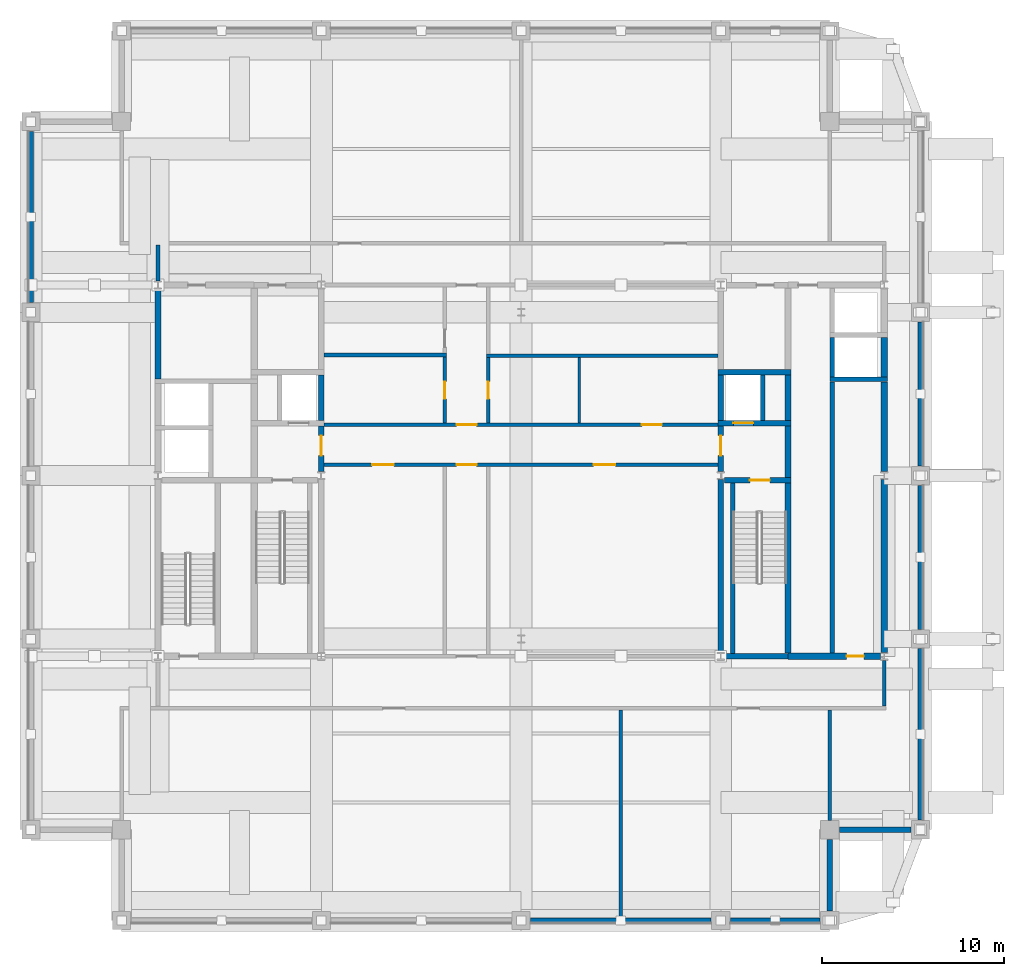
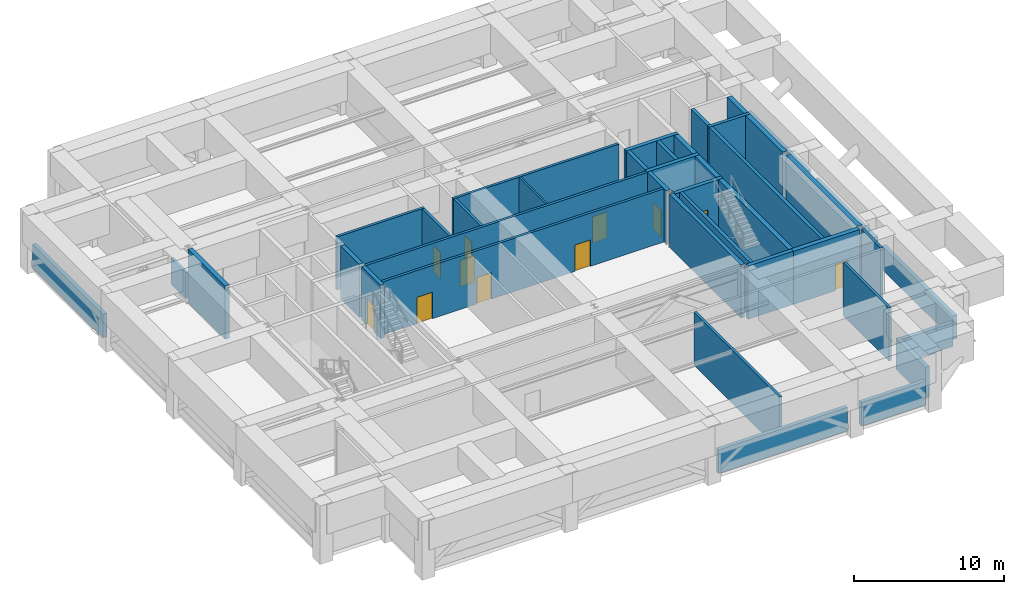
# One storey, part 4 of 9: 41 walls, 12 doors, 12 openings.
"""IFC4 building model written with IfcOpenShell, lengths in metres."""

from ifc_helpers import new_model, si_unit, direction, frame, frame_2d, origin, place, context, subcontext, project, spatial, rectangle, extrude, material, layer, layer_set, type_object, element, fill, save


model = new_model("IFC4")

# Units and contexts
model_context = context("Model", 3, precision=1e-05, world=origin(), true_north=direction((0.0, 1.0)))
body_context = subcontext(model_context, "Body", "Model", "MODEL_VIEW")
ifc_project = project(units=[si_unit("LENGTHUNIT", "METRE"), si_unit("AREAUNIT", "SQUARE_METRE"), si_unit("VOLUMEUNIT", "CUBIC_METRE"), si_unit("PLANEANGLEUNIT", "RADIAN"), si_unit("MASSUNIT", "GRAM", prefix="KILO")], contexts=[model_context])

# Site, building, storey
site_placement = place(None, origin())
site = spatial("IfcSite", under=ifc_project, at=site_placement, CompositionType="ELEMENT")
building_placement = place(site_placement, origin())
building = spatial("IfcBuilding", under=site, at=building_placement, Name="Zulmaris Gate Convention Tower", CompositionType="ELEMENT")
storey_placement = place(building_placement, frame((0.0, 0.0, 222.06005859375)))
storey = spatial("IfcBuildingStorey", under=building, at=storey_placement, Name="L58", CompositionType="ELEMENT", Elevation=222.06005859375)

# Walls
ifc_material_1 = material(Name="Concrete C50/60", Category="concrete")
ifc_layer_1 = layer(ifc_material_1, 0.25, Name="Concrete C50/60")
ifc_layer_set_1 = layer_set([ifc_layer_1], Name="Concrete C50/60")
wall_type_1 = type_object("IfcWallType", Name="CORE-250", PredefinedType="SOLIDWALL", material=ifc_layer_set_1)
wall_1_placement = place(storey_placement, frame((17.02490234375, 5.300048828125, 0.0), z_axis=(0.0, 0.0, 1.0), x_axis=(1.0, 0.0, 0.0)))
element("IfcWall", 1, at=wall_1_placement, inside=storey, type_object=wall_type_1, Name="WL-L58-011", PredefinedType="SOLIDWALL", context=body_context, shape_type="SweptSolid", body=[
    extrude(rectangle(XDim=3.150146484375, YDim=0.25, at=frame_2d((1.5751953125, 0.0))), origin(), (0.0, 0.0, 1.0), 4.3349609375),
])
wall_2_placement = place(storey_placement, frame((11.64990234375, -9.798095703125, 0.0), z_axis=(0.0, 0.0, 1.0), x_axis=(0.0, 1.0, 0.0)))
element("IfcWall", 2, at=wall_2_placement, inside=storey, type_object=wall_type_1, Name="WL-L58-049", PredefinedType="SOLIDWALL", context=body_context, shape_type="SweptSolid", body=[
    extrude(rectangle(XDim=9.39599609375, YDim=0.25, at=frame_2d((4.697998046875, 0.0))), origin(), (0.0, 0.0, 1.0), 4.3349609375),
])
wall_3_placement = place(storey_placement, frame((13.300048828125, 3.052001953125, 0.0), z_axis=(0.0, 0.0, 1.0), x_axis=(0.0, 1.0, 0.0)))
element("IfcWall", 3, at=wall_3_placement, inside=storey, type_object=wall_type_1, Name="WL-L58-050", PredefinedType="SOLIDWALL", context=body_context, shape_type="SweptSolid", body=[
    extrude(rectangle(XDim=2.49609375, YDim=0.25, at=frame_2d((1.248046875, 0.0))), origin(), (0.0, 0.0, 1.0), 4.3349609375),
])
wall_4_placement = place(storey_placement, frame((17.14990234375, -9.77294921875, 0.0), z_axis=(0.0, 0.0, 1.0), x_axis=(0.0, 1.0, 0.0)))
element("IfcWall", 4, at=wall_4_placement, inside=storey, type_object=wall_type_1, Name="WL-L58-055", PredefinedType="SOLIDWALL", context=body_context, shape_type="SweptSolid", body=[
    extrude(rectangle(XDim=14.946044921875, YDim=0.25, at=frame_2d((7.47314453125, 0.0))), origin(), (0.0, 0.0, 1.0), 4.3349609375),
])
wall_5_placement = place(storey_placement, frame((17.14990234375, 5.427001953125, 0.0), z_axis=(0.0, 0.0, 1.0), x_axis=(0.0, 1.0, 0.0)))
element("IfcWall", 5, at=wall_5_placement, inside=storey, type_object=wall_type_1, Name="WL-L58-056", PredefinedType="SOLIDWALL", context=body_context, shape_type="SweptSolid", body=[
    extrude(rectangle(XDim=2.196044921875, YDim=0.25, at=frame_2d((1.09814453125, 0.0))), origin(), (0.0, 0.0, 1.0), 4.3349609375),
])
ifc_layer_2 = layer(ifc_material_1, 0.300048828125, Name="Concrete C50/60")
ifc_layer_set_2 = layer_set([ifc_layer_2], Name="Concrete C50/60")
wall_type_2 = type_object("IfcWallType", Name="CORE-300", PredefinedType="SHEAR", material=ifc_layer_set_2)
wall_6_placement = place(storey_placement, frame((11.2099609375, -9.949951171875, 0.0), z_axis=(0.0, 0.0, 1.0), x_axis=(1.0, 0.0, 0.0)))
element("IfcWall", 6, at=wall_6_placement, inside=storey, type_object=wall_type_2, Name="WL-L58-003", PredefinedType="SHEAR", context=body_context, shape_type="SweptSolid", body=[
    extrude(rectangle(XDim=3.489990234375, YDim=0.300048828125, at=frame_2d((1.7451171875, 0.0))), origin(), (0.0, 0.0, 1.0), 4.3349609375),
])

# Wall, opening, door
wall_7_placement = place(storey_placement, frame((11.2099609375, -0.25, 0.0), z_axis=(0.0, 0.0, 1.0), x_axis=(1.0, 0.0, 0.0)))
wall_7 = element("IfcWall", 7, at=wall_7_placement, inside=storey, type_object=wall_type_2, Name="WL-L58-006", PredefinedType="SHEAR", context=body_context, shape_type="SweptSolid", body=[
    extrude(rectangle(XDim=3.6650390625, YDim=0.300048828125, at=frame_2d((1.83251953125, 0.0))), origin(), (0.0, 0.0, 1.0), 4.3349609375),
])
opening_1_placement = place(wall_7_placement, frame((1.389892578125, 0.0, 0.0)))
opening_1 = element("IfcOpeningElement", 8, at=opening_1_placement, cuts=wall_7, Name="Opening D-08", PredefinedType="OPENING", context=body_context, shape_type="SweptSolid", body=[
    extrude(rectangle(XDim=1.10009765625, YDim=2.14990234375, at=frame_2d((0.550048828125, 1.074951171875))), frame((0.0, 0.16015625, 0.0), z_axis=(0.0, -1.0, 0.0), x_axis=(1.0, 0.0, 0.0)), (0.0, 0.0, 1.0), 0.320068359375),
])
ifc_material_2 = material(Name="Fire-Rated Steel", Category="steel")
door_type_1 = type_object("IfcDoorType", Name="DR-1100-FD", OperationType="NOTDEFINED", PredefinedType="DOOR", material=ifc_material_2)
door_1_placement = place(opening_1_placement, origin())
door_1 = element("IfcDoor", 9, at=door_1_placement, inside=storey, type_object=door_type_1, Name="L58 Exit Stair ST-2 Door 04", OperationType="SINGLE_SWING_LEFT", OverallHeight=2.14990234375, OverallWidth=1.10009765625, PredefinedType="DOOR", context=body_context, shape_type="SweptSolid", body=[
    extrude(rectangle(XDim=1.10009765625, YDim=2.14990234375, at=frame_2d((0.550048828125, 1.074951171875))), frame((0.0, 0.02490234375, 0.0), z_axis=(0.0, -1.0, 0.0), x_axis=(1.0, 0.0, 0.0)), (0.0, 0.0, 1.0), 0.050048828125),
])
fill(opening_1, door_1)

wall_8_placement = place(storey_placement, frame((10.85009765625, 2.89990234375, 0.0), z_axis=(0.0, 0.0, 1.0), x_axis=(1.0, 0.0, 0.0)))
wall_8 = element("IfcWall", 10, at=wall_8_placement, inside=storey, type_object=wall_type_2, Name="WL-L58-009", PredefinedType="SHEAR", context=body_context, shape_type="SweptSolid", body=[
    extrude(rectangle(XDim=4.02490234375, YDim=0.300048828125, at=frame_2d((2.012451171875, 0.0))), origin(), (0.0, 0.0, 1.0), 4.3349609375),
])
opening_2_placement = place(wall_8_placement, frame((0.85009765625, 0.0, 0.0)))
opening_2 = element("IfcOpeningElement", 11, at=opening_2_placement, cuts=wall_8, Name="Opening D-06", PredefinedType="OPENING", context=body_context, shape_type="SweptSolid", body=[
    extrude(rectangle(XDim=1.10009765625, YDim=2.199951171875, at=frame_2d((0.550048828125, 1.10009765625))), frame((0.0, 0.16015625, 0.0), z_axis=(0.0, -1.0, 0.0), x_axis=(1.0, 0.0, 0.0)), (0.0, 0.0, 1.0), 0.320068359375),
])
ifc_material_3 = material(Name="Brushed Stainless Steel", Category="steel")
door_type_2 = type_object("IfcDoorType", Name="LD-1100", OperationType="NOTDEFINED", PredefinedType="DOOR", material=ifc_material_3)
door_2_placement = place(opening_2_placement, origin())
door_2 = element("IfcDoor", 12, at=door_2_placement, inside=storey, type_object=door_type_2, Name="L58 Lift Landing Door LF-02 06", OperationType="SLIDING_TO_RIGHT", OverallHeight=2.199951171875, OverallWidth=1.10009765625, PredefinedType="DOOR", context=body_context, shape_type="SweptSolid", body=[
    extrude(rectangle(XDim=1.10009765625, YDim=2.199951171875, at=frame_2d((0.550048828125, 1.10009765625))), frame((0.0, 0.02490234375, 0.0), z_axis=(0.0, -1.0, 0.0), x_axis=(1.0, 0.0, 0.0)), (0.0, 0.0, 1.0), 0.050048828125),
])
fill(opening_2, door_2)

# Wall
wall_9_placement = place(storey_placement, frame((10.85009765625, 5.699951171875, 0.0), z_axis=(0.0, 0.0, 1.0), x_axis=(1.0, 0.0, 0.0)))
element("IfcWall", 13, at=wall_9_placement, inside=storey, type_object=wall_type_2, Name="WL-L58-013", PredefinedType="SHEAR", context=body_context, shape_type="SweptSolid", body=[
    extrude(rectangle(XDim=4.02490234375, YDim=0.300048828125, at=frame_2d((2.012451171875, 0.0))), origin(), (0.0, 0.0, 1.0), 4.3349609375),
])

# Wall, opening, door
wall_10_placement = place(storey_placement, frame((-11.0, 0.221435546875, 0.0), z_axis=(0.0, 0.0, 1.0), x_axis=(0.0, 1.0, 0.0)))
wall_10 = element("IfcWall", 14, at=wall_10_placement, inside=storey, type_object=wall_type_2, Name="WL-L58-042", PredefinedType="SHEAR", context=body_context, shape_type="SweptSolid", body=[
    extrude(rectangle(XDim=2.526611328125, YDim=0.300048828125, at=frame_2d((1.26318359375, 0.0))), origin(), (0.0, 0.0, 1.0), 4.3349609375),
])
opening_3_placement = place(wall_10_placement, frame((0.87841796875, 0.0, 0.0)))
opening_3 = element("IfcOpeningElement", 15, at=opening_3_placement, cuts=wall_10, Name="Opening D-08", PredefinedType="OPENING", context=body_context, shape_type="SweptSolid", body=[
    extrude(rectangle(XDim=1.10009765625, YDim=2.14990234375, at=frame_2d((0.550048828125, 1.074951171875))), frame((0.0, 0.16015625, 0.0), z_axis=(0.0, -1.0, 0.0), x_axis=(1.0, 0.0, 0.0)), (0.0, 0.0, 1.0), 0.320068359375),
])
door_3_placement = place(opening_3_placement, origin())
door_3 = element("IfcDoor", 16, at=door_3_placement, inside=storey, type_object=door_type_1, Name="L58 West Firefighting Lobby Door 02", OperationType="SINGLE_SWING_RIGHT", OverallHeight=2.14990234375, OverallWidth=1.10009765625, PredefinedType="DOOR", context=body_context, shape_type="SweptSolid", body=[
    extrude(rectangle(XDim=1.10009765625, YDim=2.14990234375, at=frame_2d((0.550048828125, 1.074951171875))), frame((0.0, 0.02490234375, 0.0), z_axis=(0.0, -1.0, 0.0), x_axis=(1.0, 0.0, 0.0)), (0.0, 0.0, 1.0), 0.050048828125),
])
fill(opening_3, door_3)

# Walls
wall_11_placement = place(storey_placement, frame((-11.0, 3.052001953125, 0.0), z_axis=(0.0, 0.0, 1.0), x_axis=(0.0, 1.0, 0.0)))
element("IfcWall", 17, at=wall_11_placement, inside=storey, type_object=wall_type_2, Name="WL-L58-043", PredefinedType="SHEAR", context=body_context, shape_type="SweptSolid", body=[
    extrude(rectangle(XDim=2.49609375, YDim=0.300048828125, at=frame_2d((1.248046875, 0.0))), origin(), (0.0, 0.0, 1.0), 4.3349609375),
])
wall_12_placement = place(storey_placement, frame((11.0, -9.728515625, 0.0), z_axis=(0.0, 0.0, 1.0), x_axis=(0.0, 1.0, 0.0)))
element("IfcWall", 18, at=wall_12_placement, inside=storey, type_object=wall_type_2, Name="WL-L58-045", PredefinedType="SHEAR", context=body_context, shape_type="SweptSolid", body=[
    extrude(rectangle(XDim=9.507080078125, YDim=0.300048828125, at=frame_2d((4.75341796875, 0.0))), origin(), (0.0, 0.0, 1.0), 4.3349609375),
])

# Wall, opening, door
wall_13_placement = place(storey_placement, frame((11.0, 0.221435546875, 0.0), z_axis=(0.0, 0.0, 1.0), x_axis=(0.0, 1.0, 0.0)))
wall_13 = element("IfcWall", 19, at=wall_13_placement, inside=storey, type_object=wall_type_2, Name="WL-L58-046", PredefinedType="SHEAR", context=body_context, shape_type="SweptSolid", body=[
    extrude(rectangle(XDim=2.526611328125, YDim=0.300048828125, at=frame_2d((1.26318359375, 0.0))), origin(), (0.0, 0.0, 1.0), 4.3349609375),
])
opening_4_placement = place(wall_13_placement, frame((0.87841796875, 0.0, 0.0)))
opening_4 = element("IfcOpeningElement", 20, at=opening_4_placement, cuts=wall_13, Name="Opening D-08", PredefinedType="OPENING", context=body_context, shape_type="SweptSolid", body=[
    extrude(rectangle(XDim=1.10009765625, YDim=2.14990234375, at=frame_2d((0.550048828125, 1.074951171875))), frame((0.0, 0.16015625, 0.0), z_axis=(0.0, -1.0, 0.0), x_axis=(1.0, 0.0, 0.0)), (0.0, 0.0, 1.0), 0.320068359375),
])
door_4_placement = place(opening_4_placement, origin())
door_4 = element("IfcDoor", 21, at=door_4_placement, inside=storey, type_object=door_type_1, Name="L58 East Firefighting Lobby Door 05", OperationType="SINGLE_SWING_RIGHT", OverallHeight=2.14990234375, OverallWidth=1.10009765625, PredefinedType="DOOR", context=body_context, shape_type="SweptSolid", body=[
    extrude(rectangle(XDim=1.10009765625, YDim=2.14990234375, at=frame_2d((0.550048828125, 1.074951171875))), frame((0.0, 0.02490234375, 0.0), z_axis=(0.0, -1.0, 0.0), x_axis=(1.0, 0.0, 0.0)), (0.0, 0.0, 1.0), 0.050048828125),
])
fill(opening_4, door_4)

# Wall
wall_14_placement = place(storey_placement, frame((11.0, 3.052001953125, 0.0), z_axis=(0.0, 0.0, 1.0), x_axis=(0.0, 1.0, 0.0)))
element("IfcWall", 22, at=wall_14_placement, inside=storey, type_object=wall_type_2, Name="WL-L58-047", PredefinedType="SHEAR", context=body_context, shape_type="SweptSolid", body=[
    extrude(rectangle(XDim=2.49609375, YDim=0.300048828125, at=frame_2d((1.248046875, 0.0))), origin(), (0.0, 0.0, 1.0), 4.3349609375),
])

# Wall, opening, door
ifc_material_4 = material(Name="Concrete C55/67", Category="concrete")
ifc_layer_3 = layer(ifc_material_4, 0.35009765625, Name="Concrete C55/67")
ifc_layer_set_3 = layer_set([ifc_layer_3], Name="Concrete C55/67")
wall_type_3 = type_object("IfcWallType", Name="CORE-350", PredefinedType="SHEAR", material=ifc_layer_set_3)
wall_15_placement = place(storey_placement, frame((14.699951171875, -9.949951171875, 0.0), z_axis=(0.0, 0.0, 1.0), x_axis=(1.0, 0.0, 0.0)))
wall_15 = element("IfcWall", 23, at=wall_15_placement, inside=storey, type_object=wall_type_3, Name="WL-L58-004", PredefinedType="SHEAR", context=body_context, shape_type="SweptSolid", body=[
    extrude(rectangle(XDim=5.090087890625, YDim=0.35009765625, at=frame_2d((2.544921875, 0.0))), origin(), (0.0, 0.0, 1.0), 4.3349609375),
])
opening_5_placement = place(wall_15_placement, frame((3.22509765625, 0.0, 0.0)))
opening_5 = element("IfcOpeningElement", 24, at=opening_5_placement, cuts=wall_15, Name="Opening D-11", PredefinedType="OPENING", context=body_context, shape_type="SweptSolid", body=[
    extrude(rectangle(XDim=0.949951171875, YDim=2.14990234375, at=frame_2d((0.47509765625, 1.074951171875))), frame((0.0, 0.18505859375, 0.0), z_axis=(0.0, -1.0, 0.0), x_axis=(1.0, 0.0, 0.0)), (0.0, 0.0, 1.0), 0.3701171875),
])
ifc_material_5 = material(Name="Fire-Rated Timber", Category="wood")
door_type_3 = type_object("IfcDoorType", Name="DR-950-FD", OperationType="NOTDEFINED", PredefinedType="DOOR", material=ifc_material_5)
door_5_placement = place(opening_5_placement, origin())
door_5 = element("IfcDoor", 25, at=door_5_placement, inside=storey, type_object=door_type_3, Name="L58 East Smoke Booster Door 12", OperationType="SINGLE_SWING_RIGHT", OverallHeight=2.14990234375, OverallWidth=0.949951171875, PredefinedType="DOOR", context=body_context, shape_type="SweptSolid", body=[
    extrude(rectangle(XDim=0.949951171875, YDim=2.14990234375, at=frame_2d((0.47509765625, 1.074951171875))), frame((0.0, 0.02490234375, 0.0), z_axis=(0.0, -1.0, 0.0), x_axis=(1.0, 0.0, 0.0)), (0.0, 0.0, 1.0), 0.050048828125),
])
fill(opening_5, door_5)

# Walls
wall_16_placement = place(storey_placement, frame((-20.0, 5.326904296875, 0.0), z_axis=(0.0, 0.0, 1.0), x_axis=(0.0, 1.0, 0.0)))
element("IfcWall", 26, at=wall_16_placement, inside=storey, type_object=wall_type_3, Name="WL-L58-030", PredefinedType="SHEAR", context=body_context, shape_type="SweptSolid", body=[
    extrude(rectangle(XDim=4.95166015625, YDim=0.35009765625, at=frame_2d((2.475830078125, 0.0))), origin(), (0.0, 0.0, 1.0), 4.3349609375),
])
wall_17_placement = place(storey_placement, frame((14.699951171875, -9.77294921875, 0.0), z_axis=(0.0, 0.0, 1.0), x_axis=(0.0, 1.0, 0.0)))
element("IfcWall", 27, at=wall_17_placement, inside=storey, type_object=wall_type_3, Name="WL-L58-051", PredefinedType="SHEAR", context=body_context, shape_type="SweptSolid", body=[
    extrude(rectangle(XDim=9.370849609375, YDim=0.35009765625, at=frame_2d((4.685546875, 0.0))), origin(), (0.0, 0.0, 1.0), 4.3349609375),
])
wall_18_placement = place(storey_placement, frame((14.699951171875, -0.097900390625, 0.0), z_axis=(0.0, 0.0, 1.0), x_axis=(0.0, 1.0, 0.0)))
element("IfcWall", 28, at=wall_18_placement, inside=storey, type_object=wall_type_3, Name="WL-L58-052", PredefinedType="SHEAR", context=body_context, shape_type="SweptSolid", body=[
    extrude(rectangle(XDim=2.845947265625, YDim=0.35009765625, at=frame_2d((1.4228515625, 0.0))), origin(), (0.0, 0.0, 1.0), 4.3349609375),
])
wall_19_placement = place(storey_placement, frame((14.699951171875, 3.052001953125, 0.0), z_axis=(0.0, 0.0, 1.0), x_axis=(0.0, 1.0, 0.0)))
element("IfcWall", 29, at=wall_19_placement, inside=storey, type_object=wall_type_3, Name="WL-L58-053", PredefinedType="SHEAR", context=body_context, shape_type="SweptSolid", body=[
    extrude(rectangle(XDim=2.49609375, YDim=0.35009765625, at=frame_2d((1.248046875, 0.0))), origin(), (0.0, 0.0, 1.0), 4.3349609375),
])
wall_20_placement = place(storey_placement, frame((20.0, -9.728515625, 0.0), z_axis=(0.0, 0.0, 1.0), x_axis=(0.0, 1.0, 0.0)))
element("IfcWall", 30, at=wall_20_placement, inside=storey, type_object=wall_type_3, Name="WL-L58-058", PredefinedType="SHEAR", context=body_context, shape_type="SweptSolid", body=[
    extrude(rectangle(XDim=9.507080078125, YDim=0.35009765625, at=frame_2d((4.75341796875, 0.0))), origin(), (0.0, 0.0, 1.0), 4.3349609375),
])
wall_21_placement = place(storey_placement, frame((20.0, 0.221435546875, 0.0), z_axis=(0.0, 0.0, 1.0), x_axis=(0.0, 1.0, 0.0)))
element("IfcWall", 31, at=wall_21_placement, inside=storey, type_object=wall_type_3, Name="WL-L58-058S1", PredefinedType="SHEAR", context=body_context, shape_type="SweptSolid", body=[
    extrude(rectangle(XDim=4.95166015625, YDim=0.35009765625, at=frame_2d((2.475830078125, 0.0))), origin(), (0.0, 0.0, 1.0), 4.3349609375),
])
wall_22_placement = place(storey_placement, frame((20.0, 5.427001953125, 0.0), z_axis=(0.0, 0.0, 1.0), x_axis=(0.0, 1.0, 0.0)))
element("IfcWall", 32, at=wall_22_placement, inside=storey, type_object=wall_type_3, Name="WL-L58-059", PredefinedType="SHEAR", context=body_context, shape_type="SweptSolid", body=[
    extrude(rectangle(XDim=2.196044921875, YDim=0.35009765625, at=frame_2d((1.09814453125, 0.0))), origin(), (0.0, 0.0, 1.0), 4.3349609375),
])
ifc_material_6 = material(Name="Gypsum Metal Stud Partition")
ifc_layer_4 = layer(ifc_material_6, 0.14990234375, Name="Gypsum Metal Stud Partition")
ifc_layer_set_4 = layer_set([ifc_layer_4], Name="Gypsum Metal Stud Partition")
wall_type_4 = type_object("IfcWallType", Name="PART-150", PredefinedType="PARTITIONING", material=ifc_layer_set_4)
wall_23_placement = place(storey_placement, frame((3.199951171875, 2.903076171875, 0.0), z_axis=(0.0, 0.0, 1.0), x_axis=(0.0, 1.0, 0.0)))
element("IfcWall", 33, at=wall_23_placement, inside=storey, type_object=wall_type_4, Name="WL-L58-072", PredefinedType="PARTITIONING", context=body_context, shape_type="SweptSolid", body=[
    extrude(rectangle(XDim=3.593994140625, YDim=0.14990234375, at=frame_2d((1.796875, 0.0))), origin(), (0.0, 0.0, 1.0), 4.3349609375),
])

# Wall, openings, doors
ifc_material_7 = material(Name="Autoclaved Aerated Concrete Block and Plasterboard", Category="concrete")
ifc_layer_5 = layer(ifc_material_7, 0.199951171875, Name="Autoclaved Aerated Concrete Block and Plasterboard")
ifc_layer_set_5 = layer_set([ifc_layer_5], Name="Autoclaved Aerated Concrete Block and Plasterboard")
wall_type_5 = type_object("IfcWallType", Name="PART-200", PredefinedType="PARTITIONING", material=ifc_layer_set_5)
wall_24_placement = place(storey_placement, frame((-10.846923828125, 0.60009765625, 0.0), z_axis=(0.0, 0.0, 1.0), x_axis=(1.0, 0.0, 0.0)))
wall_24 = element("IfcWall", 34, at=wall_24_placement, inside=storey, type_object=wall_type_5, Name="WL-L58-021", PredefinedType="PARTITIONING", context=body_context, shape_type="SweptSolid", body=[
    extrude(rectangle(XDim=21.69384765625, YDim=0.199951171875, at=frame_2d((10.846923828125, 0.0))), origin(), (0.0, 0.0, 1.0), 4.3349609375),
])
opening_6_placement = place(wall_24_placement, frame((7.297119140625, 0.0, 0.0)))
opening_6 = element("IfcOpeningElement", 35, at=opening_6_placement, cuts=wall_24, Name="Opening D-08", PredefinedType="OPENING", context=body_context, shape_type="SweptSolid", body=[
    extrude(rectangle(XDim=1.10009765625, YDim=2.14990234375, at=frame_2d((0.550048828125, 1.074951171875))), frame((0.0, 0.10986328125, 0.0), z_axis=(0.0, -1.0, 0.0), x_axis=(1.0, 0.0, 0.0)), (0.0, 0.0, 1.0), 0.219970703125),
])
opening_7_placement = place(wall_24_placement, frame((2.64697265625, 0.0, 0.0)))
opening_7 = element("IfcOpeningElement", 36, at=opening_7_placement, cuts=wall_24, Name="Opening D-13", PredefinedType="OPENING", context=body_context, shape_type="SweptSolid", body=[
    extrude(rectangle(XDim=1.199951171875, YDim=2.14990234375, at=frame_2d((0.60009765625, 1.074951171875))), frame((0.0, 0.10986328125, 0.0), z_axis=(0.0, -1.0, 0.0), x_axis=(1.0, 0.0, 0.0)), (0.0, 0.0, 1.0), 0.219970703125),
])
opening_8_placement = place(wall_24_placement, frame((14.846923828125, 0.0, 0.0)))
opening_8 = element("IfcOpeningElement", 37, at=opening_8_placement, cuts=wall_24, Name="Opening D-13", PredefinedType="OPENING", context=body_context, shape_type="SweptSolid", body=[
    extrude(rectangle(XDim=1.199951171875, YDim=2.14990234375, at=frame_2d((0.60009765625, 1.074951171875))), frame((0.0, 0.10986328125, 0.0), z_axis=(0.0, -1.0, 0.0), x_axis=(1.0, 0.0, 0.0)), (0.0, 0.0, 1.0), 0.219970703125),
])
door_6_placement = place(opening_6_placement, origin())
door_6 = element("IfcDoor", 38, at=door_6_placement, inside=storey, type_object=door_type_1, Name="L58 South Plant Link Door 15", OperationType="SINGLE_SWING_LEFT", OverallHeight=2.14990234375, OverallWidth=1.10009765625, PredefinedType="DOOR", context=body_context, shape_type="SweptSolid", body=[
    extrude(rectangle(XDim=1.10009765625, YDim=2.14990234375, at=frame_2d((0.550048828125, 1.074951171875))), frame((0.0, 0.02490234375, 0.0), z_axis=(0.0, -1.0, 0.0), x_axis=(1.0, 0.0, 0.0)), (0.0, 0.0, 1.0), 0.050048828125),
])
fill(opening_6, door_6)
door_type_4 = type_object("IfcDoorType", Name="DR-1200-FD", OperationType="NOTDEFINED", PredefinedType="DOOR", material=ifc_material_2)
door_7_placement = place(opening_7_placement, origin())
door_7 = element("IfcDoor", 39, at=door_7_placement, inside=storey, type_object=door_type_4, Name="L58 West Refuge Area Door 17", OperationType="SINGLE_SWING_LEFT", OverallHeight=2.14990234375, OverallWidth=1.199951171875, PredefinedType="DOOR", context=body_context, shape_type="SweptSolid", body=[
    extrude(rectangle(XDim=1.199951171875, YDim=2.14990234375, at=frame_2d((0.60009765625, 1.074951171875))), frame((0.0, 0.02490234375, 0.0), z_axis=(0.0, -1.0, 0.0), x_axis=(1.0, 0.0, 0.0)), (0.0, 0.0, 1.0), 0.050048828125),
])
fill(opening_7, door_7)
door_8_placement = place(opening_8_placement, origin())
door_8 = element("IfcDoor", 40, at=door_8_placement, inside=storey, type_object=door_type_4, Name="L58 East Refuge Area Door 18", OperationType="SINGLE_SWING_RIGHT", OverallHeight=2.14990234375, OverallWidth=1.199951171875, PredefinedType="DOOR", context=body_context, shape_type="SweptSolid", body=[
    extrude(rectangle(XDim=1.199951171875, YDim=2.14990234375, at=frame_2d((0.60009765625, 1.074951171875))), frame((0.0, 0.02490234375, 0.0), z_axis=(0.0, -1.0, 0.0), x_axis=(1.0, 0.0, 0.0)), (0.0, 0.0, 1.0), 0.050048828125),
])
fill(opening_8, door_8)

wall_25_placement = place(storey_placement, frame((-10.846923828125, 2.800048828125, 0.0), z_axis=(0.0, 0.0, 1.0), x_axis=(1.0, 0.0, 0.0)))
wall_25 = element("IfcWall", 41, at=wall_25_placement, inside=storey, type_object=wall_type_5, Name="WL-L58-022", PredefinedType="PARTITIONING", context=body_context, shape_type="SweptSolid", body=[
    extrude(rectangle(XDim=21.69384765625, YDim=0.199951171875, at=frame_2d((10.846923828125, 0.0))), origin(), (0.0, 0.0, 1.0), 4.3349609375),
])
opening_9_placement = place(wall_25_placement, frame((7.297119140625, 0.0, 0.0)))
opening_9 = element("IfcOpeningElement", 42, at=opening_9_placement, cuts=wall_25, Name="Opening D-08", PredefinedType="OPENING", context=body_context, shape_type="SweptSolid", body=[
    extrude(rectangle(XDim=1.10009765625, YDim=2.14990234375, at=frame_2d((0.550048828125, 1.074951171875))), frame((0.0, 0.10986328125, 0.0), z_axis=(0.0, -1.0, 0.0), x_axis=(1.0, 0.0, 0.0)), (0.0, 0.0, 1.0), 0.219970703125),
])
opening_10_placement = place(wall_25_placement, frame((17.4970703125, 0.0, 0.0)))
opening_10 = element("IfcOpeningElement", 43, at=opening_10_placement, cuts=wall_25, Name="Opening D-08", PredefinedType="OPENING", context=body_context, shape_type="SweptSolid", body=[
    extrude(rectangle(XDim=1.10009765625, YDim=2.14990234375, at=frame_2d((0.550048828125, 1.074951171875))), frame((0.0, 0.10986328125, 0.0), z_axis=(0.0, -1.0, 0.0), x_axis=(1.0, 0.0, 0.0)), (0.0, 0.0, 1.0), 0.219970703125),
])
door_9_placement = place(opening_9_placement, origin())
door_9 = element("IfcDoor", 44, at=door_9_placement, inside=storey, type_object=door_type_1, Name="L58 North Plant Link Door 13", OperationType="SINGLE_SWING_LEFT", OverallHeight=2.14990234375, OverallWidth=1.10009765625, PredefinedType="DOOR", context=body_context, shape_type="SweptSolid", body=[
    extrude(rectangle(XDim=1.10009765625, YDim=2.14990234375, at=frame_2d((0.550048828125, 1.074951171875))), frame((0.0, 0.02490234375, 0.0), z_axis=(0.0, -1.0, 0.0), x_axis=(1.0, 0.0, 0.0)), (0.0, 0.0, 1.0), 0.050048828125),
])
fill(opening_9, door_9)
door_10_placement = place(opening_10_placement, origin())
door_10 = element("IfcDoor", 45, at=door_10_placement, inside=storey, type_object=door_type_1, Name="L58 HV Switchroom Door 26", OperationType="SINGLE_SWING_RIGHT", OverallHeight=2.14990234375, OverallWidth=1.10009765625, PredefinedType="DOOR", context=body_context, shape_type="SweptSolid", body=[
    extrude(rectangle(XDim=1.10009765625, YDim=2.14990234375, at=frame_2d((0.550048828125, 1.074951171875))), frame((0.0, 0.02490234375, 0.0), z_axis=(0.0, -1.0, 0.0), x_axis=(1.0, 0.0, 0.0)), (0.0, 0.0, 1.0), 0.050048828125),
])
fill(opening_10, door_10)

# Walls
wall_26_placement = place(storey_placement, frame((-1.89990234375, 6.60009765625, 0.0), z_axis=(0.0, 0.0, 1.0), x_axis=(1.0, 0.0, 0.0)))
element("IfcWall", 46, at=wall_26_placement, inside=storey, type_object=wall_type_5, Name="WL-L58-023", PredefinedType="PARTITIONING", context=body_context, shape_type="SweptSolid", body=[
    extrude(rectangle(XDim=12.746826171875, YDim=0.199951171875, at=frame_2d((6.37353515625, 0.0))), origin(), (0.0, 0.0, 1.0), 4.3349609375),
])
wall_27_placement = place(storey_placement, frame((-10.846923828125, 6.64990234375, 0.0), z_axis=(0.0, 0.0, 1.0), x_axis=(1.0, 0.0, 0.0)))
element("IfcWall", 47, at=wall_27_placement, inside=storey, type_object=wall_type_5, Name="WL-L58-024", PredefinedType="PARTITIONING", context=body_context, shape_type="SweptSolid", body=[
    extrude(rectangle(XDim=6.746826171875, YDim=0.199951171875, at=frame_2d((3.37353515625, 0.0))), origin(), (0.0, 0.0, 1.0), 4.3349609375),
])
wall_28_placement = place(storey_placement, frame((-20.0, 10.723388671875, 0.0), z_axis=(0.0, 0.0, 1.0), x_axis=(0.0, 1.0, 0.0)))
element("IfcWall", 48, at=wall_28_placement, inside=storey, type_object=wall_type_5, Name="WL-L58-064", PredefinedType="PARTITIONING", context=body_context, shape_type="SweptSolid", body=[
    extrude(rectangle(XDim=1.9736328125, YDim=0.199951171875, at=frame_2d((0.98681640625, 0.0))), origin(), (0.0, 0.0, 1.0), 2.126953125),
])

# Wall, opening, door
wall_29_placement = place(storey_placement, frame((-4.199951171875, 2.903076171875, 0.0), z_axis=(0.0, 0.0, 1.0), x_axis=(0.0, 1.0, 0.0)))
wall_29 = element("IfcWall", 49, at=wall_29_placement, inside=storey, type_object=wall_type_5, Name="WL-L58-066", PredefinedType="PARTITIONING", context=body_context, shape_type="SweptSolid", body=[
    extrude(rectangle(XDim=3.64404296875, YDim=0.199951171875, at=frame_2d((1.822021484375, 0.0))), origin(), (0.0, 0.0, 1.0), 4.3349609375),
])
opening_11_placement = place(wall_29_placement, frame((1.322021484375, 0.0, 0.0)))
opening_11 = element("IfcOpeningElement", 50, at=opening_11_placement, cuts=wall_29, Name="Opening D-11", PredefinedType="OPENING", context=body_context, shape_type="SweptSolid", body=[
    extrude(rectangle(XDim=0.949951171875, YDim=2.14990234375, at=frame_2d((0.47509765625, 1.074951171875))), frame((0.0, 0.10986328125, 0.0), z_axis=(0.0, -1.0, 0.0), x_axis=(1.0, 0.0, 0.0)), (0.0, 0.0, 1.0), 0.219970703125),
])
door_11_placement = place(opening_11_placement, origin())
door_11 = element("IfcDoor", 51, at=door_11_placement, inside=storey, type_object=door_type_3, Name="L58 BMS Plant Door 23", OperationType="SINGLE_SWING_LEFT", OverallHeight=2.14990234375, OverallWidth=0.949951171875, PredefinedType="DOOR", context=body_context, shape_type="SweptSolid", body=[
    extrude(rectangle(XDim=0.949951171875, YDim=2.14990234375, at=frame_2d((0.47509765625, 1.074951171875))), frame((0.0, 0.02490234375, 0.0), z_axis=(0.0, -1.0, 0.0), x_axis=(1.0, 0.0, 0.0)), (0.0, 0.0, 1.0), 0.050048828125),
])
fill(opening_11, door_11)

wall_30_placement = place(storey_placement, frame((-1.800048828125, 2.903076171875, 0.0), z_axis=(0.0, 0.0, 1.0), x_axis=(0.0, 1.0, 0.0)))
wall_30 = element("IfcWall", 52, at=wall_30_placement, inside=storey, type_object=wall_type_5, Name="WL-L58-069", PredefinedType="PARTITIONING", context=body_context, shape_type="SweptSolid", body=[
    extrude(rectangle(XDim=3.593994140625, YDim=0.199951171875, at=frame_2d((1.796875, 0.0))), origin(), (0.0, 0.0, 1.0), 4.3349609375),
])
opening_12_placement = place(wall_30_placement, frame((1.322021484375, 0.0, 0.0)))
opening_12 = element("IfcOpeningElement", 53, at=opening_12_placement, cuts=wall_30, Name="Opening D-11", PredefinedType="OPENING", context=body_context, shape_type="SweptSolid", body=[
    extrude(rectangle(XDim=0.949951171875, YDim=2.14990234375, at=frame_2d((0.47509765625, 1.074951171875))), frame((0.0, 0.10986328125, 0.0), z_axis=(0.0, -1.0, 0.0), x_axis=(1.0, 0.0, 0.0)), (0.0, 0.0, 1.0), 0.219970703125),
])
door_12_placement = place(opening_12_placement, origin())
door_12 = element("IfcDoor", 54, at=door_12_placement, inside=storey, type_object=door_type_3, Name="L58 Refuge Accessible WC Door 25", OperationType="SINGLE_SWING_LEFT", OverallHeight=2.14990234375, OverallWidth=0.949951171875, PredefinedType="DOOR", context=body_context, shape_type="SweptSolid", body=[
    extrude(rectangle(XDim=0.949951171875, YDim=2.14990234375, at=frame_2d((0.47509765625, 1.074951171875))), frame((0.0, 0.02490234375, 0.0), z_axis=(0.0, -1.0, 0.0), x_axis=(1.0, 0.0, 0.0)), (0.0, 0.0, 1.0), 0.050048828125),
])
fill(opening_12, door_12)

# Walls
wall_31_placement = place(storey_placement, frame((5.5, -24.3349609375, 0.0), z_axis=(0.0, 0.0, 1.0), x_axis=(0.0, 1.0, 0.0)))
element("IfcWall", 55, at=wall_31_placement, inside=storey, type_object=wall_type_5, Name="WL-L58-073", PredefinedType="PARTITIONING", context=body_context, shape_type="SweptSolid", body=[
    extrude(rectangle(XDim=11.431884765625, YDim=0.199951171875, at=frame_2d((5.7158203125, 0.0))), origin(), (0.0, 0.0, 1.0), 4.3349609375),
])
wall_32_placement = place(storey_placement, frame((17.0, -18.993896484375, 0.0), z_axis=(0.0, 0.0, 1.0), x_axis=(0.0, 1.0, 0.0)))
element("IfcWall", 56, at=wall_32_placement, inside=storey, type_object=wall_type_5, Name="WL-L58-074", PredefinedType="PARTITIONING", context=body_context, shape_type="SweptSolid", body=[
    extrude(rectangle(XDim=6.0908203125, YDim=0.199951171875, at=frame_2d((3.04541015625, 0.0))), origin(), (0.0, 0.0, 1.0), 4.3349609375),
])
wall_33_placement = place(storey_placement, frame((20.0, -12.697021484375, 0.0), z_axis=(0.0, 0.0, 1.0), x_axis=(0.0, 1.0, 0.0)))
element("IfcWall", 57, at=wall_33_placement, inside=storey, type_object=wall_type_5, Name="WL-L58-076", PredefinedType="PARTITIONING", context=body_context, shape_type="SweptSolid", body=[
    extrude(rectangle(XDim=2.5234375, YDim=0.199951171875, at=frame_2d((1.26171875, 0.0))), origin(), (0.0, 0.0, 1.0), 4.3349609375),
])
ifc_material_8 = material(Name="Precast concrete C40/50", Category="concrete")
ifc_layer_6 = layer(ifc_material_8, 0.300048828125, Name="Precast concrete C40/50")
ifc_layer_set_6 = layer_set([ifc_layer_6], Name="Precast concrete C40/50")
wall_type_6 = type_object("IfcWallType", Name="PRECAST-PIER-300", PredefinedType="STANDARD", material=ifc_layer_set_6)
wall_34_placement = place(storey_placement, frame((17.0, -23.969970703125, 0.0), z_axis=(0.0, 0.0, 1.0), x_axis=(0.0, 1.0, 0.0)))
element("IfcWall", 58, at=wall_34_placement, inside=storey, type_object=wall_type_6, Name="EW-L58-NOTCH-SE1_0", PredefinedType="STANDARD", context=body_context, shape_type="SweptSolid", body=[
    extrude(rectangle(XDim=3.93994140625, YDim=0.300048828125, at=frame_2d((1.969970703125, 0.0))), origin(), (0.0, 0.0, 1.0), 2.527099609375),
])
wall_35_placement = place(storey_placement, frame((17.530029296875, -19.5, 0.0), z_axis=(0.0, 0.0, 1.0), x_axis=(1.0, 0.0, 0.0)))
element("IfcWall", 59, at=wall_35_placement, inside=storey, type_object=wall_type_6, Name="EW-L58-NOTCH-SE2_0", PredefinedType="STANDARD", context=body_context, shape_type="SweptSolid", body=[
    extrude(rectangle(XDim=3.93994140625, YDim=0.300048828125, at=frame_2d((1.969970703125, 0.0))), origin(), (0.0, 0.0, 1.0), 1.927001953125),
])
wall_36_placement = place(storey_placement, frame((0.530029296875, -24.5, 0.0), z_axis=(0.0, 0.0, 1.0), x_axis=(1.0, 0.0, 0.0)))
element("IfcWall", 60, at=wall_36_placement, inside=storey, type_object=wall_type_6, Name="EW-L58-S-2_0", PredefinedType="STANDARD", context=body_context, shape_type="SweptSolid", body=[
    extrude(rectangle(XDim=9.93994140625, YDim=0.300048828125, at=frame_2d((4.969970703125, 0.0))), origin(), (0.0, 0.0, 1.0), 1.927001953125),
])
wall_37_placement = place(storey_placement, frame((11.530029296875, -24.5, 0.0), z_axis=(0.0, 0.0, 1.0), x_axis=(1.0, 0.0, 0.0)))
element("IfcWall", 61, at=wall_37_placement, inside=storey, type_object=wall_type_6, Name="EW-L58-S-3_0", PredefinedType="STANDARD", context=body_context, shape_type="SweptSolid", body=[
    extrude(rectangle(XDim=4.93994140625, YDim=0.300048828125, at=frame_2d((2.469970703125, 0.0))), origin(), (0.0, 0.0, 1.0), 1.927001953125),
])
wall_38_placement = place(storey_placement, frame((22.0, -18.969970703125, 0.0), z_axis=(0.0, 0.0, 1.0), x_axis=(0.0, 1.0, 0.0)))
element("IfcWall", 62, at=wall_38_placement, inside=storey, type_object=wall_type_6, Name="EW-L58-E-0_0", PredefinedType="STANDARD", context=body_context, shape_type="SweptSolid", body=[
    extrude(rectangle(XDim=9.43994140625, YDim=0.300048828125, at=frame_2d((4.719970703125, 0.0))), origin(), (0.0, 0.0, 1.0), 1.927001953125),
])
for number, where, z_axis, x_axis, name in (
    (63, (22.0, -8.469970703125, 0.0), (0.0, 0.0, 1.0), (0.0, 1.0, 0.0), "EW-L58-E-1_0"),
    (64, (22.0, 0.530029296875, 0.0), (0.0, 0.0, 1.0), (0.0, 1.0, 0.0), "EW-L58-E-2_0"),
):
    element("IfcWall", number, at=place(storey_placement, frame(where, z_axis=z_axis, x_axis=x_axis)), inside=storey, type_object=wall_type_6, Name=name, PredefinedType="STANDARD", context=body_context, shape_type="SweptSolid", body=[
        extrude(rectangle(XDim=7.93994140625, YDim=0.300048828125, at=frame_2d((3.969970703125, 0.0))), origin(), (0.0, 0.0, 1.0), 1.927001953125),
    ])
wall_39_placement = place(storey_placement, frame((-27.0, 18.969970703125, 0.0), z_axis=(0.0, 0.0, 1.0), x_axis=(0.0, -1.0, 0.0)))
element("IfcWall", 65, at=wall_39_placement, inside=storey, type_object=wall_type_6, Name="EW-L58-W-3_0", PredefinedType="STANDARD", context=body_context, shape_type="SweptSolid", body=[
    extrude(rectangle(XDim=9.43994140625, YDim=0.300048828125, at=frame_2d((4.719970703125, 0.0))), origin(), (0.0, 0.0, 1.0), 1.927001953125),
])

save(model, "model.ifc")
